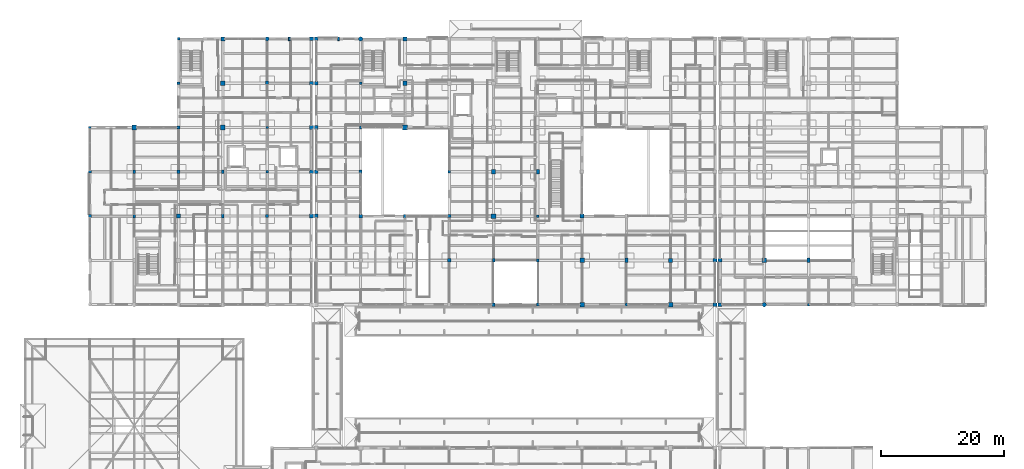
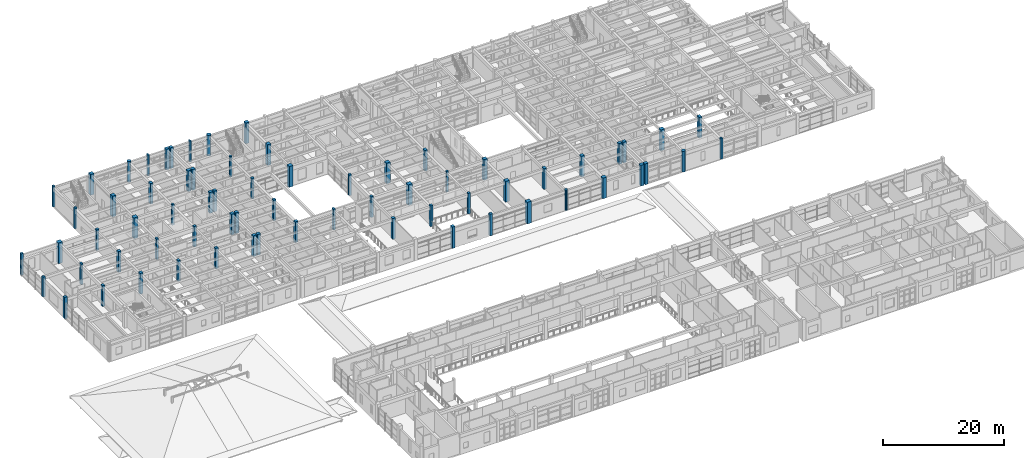
# One storey, part 2 of 110: 68 columns.
"""IFC4 building model written with IfcOpenShell, lengths in metres."""

from ifc_helpers import new_model, si_unit, direction, frame, origin, origin_2d, place, context, subcontext, project, spatial, rectangle, circle, extrude, material, material_profile, profile_set, type_object, element, save


model = new_model("IFC4")

# Units and contexts
model_context = context("Model", 3, precision=1e-05, world=origin(), true_north=direction((0.0, 1.0)))
body_context = subcontext(model_context, "Body", "Model", "MODEL_VIEW")
ifc_project = project(units=[si_unit("LENGTHUNIT", "METRE"), si_unit("AREAUNIT", "SQUARE_METRE"), si_unit("VOLUMEUNIT", "CUBIC_METRE"), si_unit("PLANEANGLEUNIT", "RADIAN"), si_unit("MASSUNIT", "GRAM", prefix="KILO")], contexts=[model_context])

# Site, building, storey
site_placement = place(None, origin())
site = spatial("IfcSite", under=ifc_project, at=site_placement, CompositionType="ELEMENT")
building_placement = place(site_placement, origin())
building = spatial("IfcBuilding", under=site, at=building_placement, Name="Steenspoor Specialist Clinic", CompositionType="ELEMENT")
storey_placement = place(building_placement, frame((0.0, 0.0, 4.800048828125)))
storey = spatial("IfcBuildingStorey", under=building, at=storey_placement, Name="L01", CompositionType="ELEMENT", Elevation=4.800048828125)

# Columns
ifc_material = material(Name="Concrete C40/50", Category="concrete")
ifc_material_profile_1 = material_profile(ifc_material, rectangle(XDim=0.39990234375, YDim=0.39990234375, at=origin_2d()), Name="RC-COL-400X400")
ifc_profile_set_1 = profile_set([ifc_material_profile_1], Name="Concrete C40/50")
column_type_1 = type_object("IfcColumnType", Name="COL-RC-400", PredefinedType="COLUMN", material=ifc_profile_set_1)
for number, where, z_axis, x_axis, name in (
    (1, (59.60009765625, 101.14990234375, 0.0), (0.0, 0.0, 1.0), (1.0, 0.0, 0.0), "Column COL-L01-0229"),
    (2, (88.39990234375, 79.550048828125, 0.0), (0.0, 0.0, 1.0), (1.0, 0.0, 0.0), "Column COL-L01-0351"),
):
    element("IfcColumn", number, at=place(storey_placement, frame(where, z_axis=z_axis, x_axis=x_axis)), inside=storey, type_object=column_type_1, Name=name, PredefinedType="COLUMN", context=body_context, shape_type="SweptSolid", body=[
        extrude(rectangle(XDim=0.39990234375, YDim=0.39990234375, at=origin_2d()), origin(), (0.0, 0.0, 1.0), 4.199951171875),
    ])
column_1_placement = place(storey_placement, frame((15.60009765625, 93.949951171875, 0.0), z_axis=(0.0, 0.0, 1.0), x_axis=(1.0, 0.0, 0.0)))
element("IfcColumn", 3, at=column_1_placement, inside=storey, type_object=column_type_1, Name="Column COL-L01-0515", PredefinedType="COLUMN", context=body_context, shape_type="SweptSolid", body=[
    extrude(rectangle(XDim=0.39990234375, YDim=0.39990234375, at=origin_2d()), origin(), (0.0, 0.0, 1.0), 4.35986328125),
])
for number, where, z_axis, x_axis, name in (
    (4, (30.0, 108.35009765625, 0.0), (0.0, 0.0, 1.0), (1.0, 0.0, 0.0), "Column COL-L01-0559"),
    (5, (44.39990234375, 93.949951171875, 0.0), (0.0, 0.0, 1.0), (1.0, 0.0, 0.0), "Column COL-L01-0605"),
    (6, (132.39990234375, 65.14990234375, 0.0), (0.0, 0.0, 1.0), (1.0, 0.0, 0.0), "Column COL-L01-0712"),
):
    element("IfcColumn", number, at=place(storey_placement, frame(where, z_axis=z_axis, x_axis=x_axis)), inside=storey, type_object=column_type_1, Name=name, PredefinedType="COLUMN", context=body_context, shape_type="SweptSolid", body=[
        extrude(rectangle(XDim=0.39990234375, YDim=0.39990234375, at=origin_2d()), origin(), (0.0, 0.0, 1.0), 4.199951171875),
    ])
ifc_material_profile_2 = material_profile(ifc_material, rectangle(XDim=0.39990234375, YDim=0.550048828125, at=origin_2d()), Name="RC-COL-400X550")
ifc_profile_set_2 = profile_set([ifc_material_profile_2], Name="Concrete C40/50")
column_type_2 = type_object("IfcColumnType", Name="COL-RC-400X550", PredefinedType="COLUMN", material=ifc_profile_set_2)
for number, where, z_axis, x_axis, name in (
    (7, (66.800048828125, 79.550048828125, 0.0), (0.0, 0.0, 1.0), (1.0, 0.0, 0.0), "Column COL-L01-0248"),
    (8, (81.199951171875, 72.35009765625, 0.0), (0.0, 0.0, 1.0), (1.0, 0.0, 0.0), "Column COL-L01-0309"),
    (9, (22.800048828125, 86.75, 0.0), (0.0, 0.0, 1.0), (1.0, 0.0, 0.0), "Column COL-L01-0528"),
    (10, (37.199951171875, 86.75, 0.0), (0.0, 0.0, 1.0), (1.0, 0.0, 0.0), "Column COL-L01-0574"),
):
    element("IfcColumn", number, at=place(storey_placement, frame(where, z_axis=z_axis, x_axis=x_axis)), inside=storey, type_object=column_type_2, Name=name, PredefinedType="COLUMN", context=body_context, shape_type="SweptSolid", body=[
        extrude(rectangle(XDim=0.39990234375, YDim=0.550048828125, at=origin_2d()), origin(), (0.0, 0.0, 1.0), 4.199951171875),
    ])
ifc_material_profile_3 = material_profile(ifc_material, rectangle(XDim=0.449951171875, YDim=0.449951171875, at=origin_2d()), Name="RC-COL-450X450")
ifc_profile_set_3 = profile_set([ifc_material_profile_3], Name="Concrete C40/50")
column_type_3 = type_object("IfcColumnType", Name="COL-RC-450", PredefinedType="COLUMN", material=ifc_profile_set_3)
for number, where, z_axis, x_axis, name in (
    (11, (59.60009765625, 93.949951171875, 0.0), (0.0, 0.0, 1.0), (1.0, 0.0, 0.0), "Column COL-L01-0223"),
    (12, (74.0, 86.75, 0.0), (0.0, 0.0, 1.0), (1.0, 0.0, 0.0), "Column COL-L01-0283"),
    (13, (88.39990234375, 72.35009765625, 0.0), (0.0, 0.0, 1.0), (1.0, 0.0, 0.0), "Column COL-L01-0346"),
):
    element("IfcColumn", number, at=place(storey_placement, frame(where, z_axis=z_axis, x_axis=x_axis)), inside=storey, type_object=column_type_3, Name=name, PredefinedType="COLUMN", context=body_context, shape_type="SweptSolid", body=[
        extrude(rectangle(XDim=0.449951171875, YDim=0.449951171875, at=origin_2d()), origin(), (0.0, 0.0, 1.0), 4.199951171875),
    ])
column_2_placement = place(storey_placement, frame((15.60009765625, 86.75, 0.0), z_axis=(0.0, 0.0, 1.0), x_axis=(1.0, 0.0, 0.0)))
element("IfcColumn", 14, at=column_2_placement, inside=storey, type_object=column_type_3, Name="Column COL-L01-0513", PredefinedType="COLUMN", context=body_context, shape_type="SweptSolid", body=[
    extrude(rectangle(XDim=0.449951171875, YDim=0.449951171875, at=origin_2d()), origin(), (0.0, 0.0, 1.0), 4.050048828125),
])
for number, where, z_axis, x_axis, name in (
    (15, (30.0, 101.14990234375, 0.0), (0.0, 0.0, 1.0), (1.0, 0.0, 0.0), "Column COL-L01-0555"),
    (16, (44.39990234375, 86.75, 0.0), (0.0, 0.0, 1.0), (1.0, 0.0, 0.0), "Column COL-L01-0601"),
):
    element("IfcColumn", number, at=place(storey_placement, frame(where, z_axis=z_axis, x_axis=x_axis)), inside=storey, type_object=column_type_3, Name=name, PredefinedType="COLUMN", context=body_context, shape_type="SweptSolid", body=[
        extrude(rectangle(XDim=0.449951171875, YDim=0.449951171875, at=origin_2d()), origin(), (0.0, 0.0, 1.0), 4.199951171875),
    ])
ifc_material_profile_4 = material_profile(ifc_material, rectangle(XDim=0.449951171875, YDim=0.60009765625, at=origin_2d()), Name="RC-COL-450X600")
ifc_profile_set_4 = profile_set([ifc_material_profile_4], Name="Concrete C40/50")
column_type_4 = type_object("IfcColumnType", Name="COL-RC-450X600", PredefinedType="COLUMN", material=ifc_profile_set_4)
column_3_placement = place(storey_placement, frame((81.199951171875, 65.14990234375, 0.0), z_axis=(0.0, 0.0, 1.0), x_axis=(1.0, 0.0, 0.0)))
element("IfcColumn", 17, at=column_3_placement, inside=storey, type_object=column_type_4, Name="Column COL-L01-0307", PredefinedType="COLUMN", context=body_context, shape_type="SweptSolid", body=[
    extrude(rectangle(XDim=0.449951171875, YDim=0.60009765625, at=origin_2d()), origin(), (0.0, 0.0, 1.0), 4.35986328125),
])
for number, where, z_axis, x_axis, name in (
    (18, (22.800048828125, 79.550048828125, 0.0), (0.0, 0.0, 1.0), (1.0, 0.0, 0.0), "Column COL-L01-0524"),
    (19, (37.199951171875, 79.550048828125, 0.0), (0.0, 0.0, 1.0), (1.0, 0.0, 0.0), "Column COL-L01-0570"),
):
    element("IfcColumn", number, at=place(storey_placement, frame(where, z_axis=z_axis, x_axis=x_axis)), inside=storey, type_object=column_type_4, Name=name, PredefinedType="COLUMN", context=body_context, shape_type="SweptSolid", body=[
        extrude(rectangle(XDim=0.449951171875, YDim=0.60009765625, at=origin_2d()), origin(), (0.0, 0.0, 1.0), 4.199951171875),
    ])
ifc_material_profile_5 = material_profile(ifc_material, rectangle(XDim=0.5, YDim=0.5, at=origin_2d()), Name="RC-COL-500X500")
ifc_profile_set_5 = profile_set([ifc_material_profile_5], Name="Concrete C40/50")
column_type_5 = type_object("IfcColumnType", Name="COL-RC-500", PredefinedType="COLUMN", material=ifc_profile_set_5)
for number, where, z_axis, x_axis, name in (
    (20, (59.60009765625, 86.75, 0.0), (0.0, 0.0, 1.0), (1.0, 0.0, 0.0), "Column COL-L01-0219"),
    (21, (74.0, 79.550048828125, 0.0), (0.0, 0.0, 1.0), (1.0, 0.0, 0.0), "Column COL-L01-0277"),
):
    element("IfcColumn", number, at=place(storey_placement, frame(where, z_axis=z_axis, x_axis=x_axis)), inside=storey, type_object=column_type_5, Name=name, PredefinedType="COLUMN", context=body_context, shape_type="SweptSolid", body=[
        extrude(rectangle(XDim=0.5, YDim=0.5, at=origin_2d()), origin(), (0.0, 0.0, 1.0), 4.199951171875),
    ])
for number, where, z_axis, x_axis, name in (
    (22, (88.39990234375, 65.14990234375, 0.0), (0.0, 0.0, 1.0), (1.0, 0.0, 0.0), "Column COL-L01-0344"),
    (23, (15.60009765625, 79.550048828125, 0.0), (0.0, 0.0, 1.0), (1.0, 0.0, 0.0), "Column COL-L01-0511"),
):
    element("IfcColumn", number, at=place(storey_placement, frame(where, z_axis=z_axis, x_axis=x_axis)), inside=storey, type_object=column_type_5, Name=name, PredefinedType="COLUMN", context=body_context, shape_type="SweptSolid", body=[
        extrude(rectangle(XDim=0.5, YDim=0.5, at=origin_2d()), origin(), (0.0, 0.0, 1.0), 4.35986328125),
    ])
for number, where, z_axis, x_axis, name in (
    (24, (30.0, 93.949951171875, 0.0), (0.0, 0.0, 1.0), (1.0, 0.0, 0.0), "Column COL-L01-0551"),
    (25, (44.39990234375, 79.550048828125, 0.0), (0.0, 0.0, 1.0), (1.0, 0.0, 0.0), "Column COL-L01-0597"),
):
    element("IfcColumn", number, at=place(storey_placement, frame(where, z_axis=z_axis, x_axis=x_axis)), inside=storey, type_object=column_type_5, Name=name, PredefinedType="COLUMN", context=body_context, shape_type="SweptSolid", body=[
        extrude(rectangle(XDim=0.5, YDim=0.5, at=origin_2d()), origin(), (0.0, 0.0, 1.0), 4.199951171875),
    ])
ifc_material_profile_6 = material_profile(ifc_material, rectangle(XDim=0.5, YDim=0.699951171875, at=origin_2d()), Name="RC-COL-500X700")
ifc_profile_set_6 = profile_set([ifc_material_profile_6], Name="Concrete C40/50")
column_type_6 = type_object("IfcColumnType", Name="COL-RC-500X700", PredefinedType="COLUMN", material=ifc_profile_set_6)
for number, where, z_axis, x_axis, name in (
    (26, (88.39990234375, 86.75, 0.0), (0.0, 0.0, 1.0), (1.0, 0.0, 0.0), "Column COL-L01-0357"),
    (27, (102.800048828125, 72.35009765625, 0.0), (0.0, 0.0, 1.0), (1.0, 0.0, 0.0), "Column COL-L01-0421"),
    (28, (44.39990234375, 101.14990234375, 0.0), (0.0, 0.0, 1.0), (1.0, 0.0, 0.0), "Column COL-L01-0609"),
    (29, (132.39990234375, 72.35009765625, 0.0), (0.0, 0.0, 1.0), (1.0, 0.0, 0.0), "Column COL-L01-0716"),
):
    element("IfcColumn", number, at=place(storey_placement, frame(where, z_axis=z_axis, x_axis=x_axis)), inside=storey, type_object=column_type_6, Name=name, PredefinedType="COLUMN", context=body_context, shape_type="SweptSolid", body=[
        extrude(rectangle(XDim=0.5, YDim=0.699951171875, at=origin_2d()), origin(), (0.0, 0.0, 1.0), 4.199951171875),
    ])
ifc_material_profile_7 = material_profile(ifc_material, rectangle(XDim=0.550048828125, YDim=0.550048828125, at=origin_2d()), Name="RC-COL-550X550")
ifc_profile_set_7 = profile_set([ifc_material_profile_7], Name="Concrete C40/50")
column_type_7 = type_object("IfcColumnType", Name="COL-RC-550", PredefinedType="COLUMN", material=ifc_profile_set_7)
for number, where, z_axis, x_axis, name in (
    (30, (59.60009765625, 79.550048828125, 0.0), (0.0, 0.0, 1.0), (1.0, 0.0, 0.0), "Column COL-L01-0215"),
    (31, (74.0, 72.35009765625, 0.0), (0.0, 0.0, 1.0), (1.0, 0.0, 0.0), "Column COL-L01-0272"),
    (32, (30.0, 86.75, 0.0), (0.0, 0.0, 1.0), (1.0, 0.0, 0.0), "Column COL-L01-0547"),
):
    element("IfcColumn", number, at=place(storey_placement, frame(where, z_axis=z_axis, x_axis=x_axis)), inside=storey, type_object=column_type_7, Name=name, PredefinedType="COLUMN", context=body_context, shape_type="SweptSolid", body=[
        extrude(rectangle(XDim=0.550048828125, YDim=0.550048828125, at=origin_2d()), origin(), (0.0, 0.0, 1.0), 4.199951171875),
    ])
ifc_material_profile_8 = material_profile(ifc_material, rectangle(XDim=0.60009765625, YDim=0.60009765625, at=origin_2d()), Name="RC-COL-600X600")
ifc_profile_set_8 = profile_set([ifc_material_profile_8], Name="Concrete C40/50")
column_type_8 = type_object("IfcColumnType", Name="COL-RC-600", PredefinedType="COLUMN", material=ifc_profile_set_8)
for number, where, z_axis, x_axis, name in (
    (33, (52.39990234375, 79.550048828125, 0.0), (0.0, 0.0, 1.0), (1.0, 0.0, 0.0), "Column COL-L01-0188"),
    (34, (52.39990234375, 86.75, 0.0), (0.0, 0.0, 1.0), (1.0, 0.0, 0.0), "Column COL-L01-0192"),
    (35, (52.39990234375, 93.949951171875, 0.0), (0.0, 0.0, 1.0), (1.0, 0.0, 0.0), "Column COL-L01-0196"),
    (36, (52.39990234375, 101.14990234375, 0.0), (0.0, 0.0, 1.0), (1.0, 0.0, 0.0), "Column COL-L01-0200"),
    (37, (52.39990234375, 108.35009765625, 0.0), (0.0, 0.0, 1.0), (1.0, 0.0, 0.0), "Column COL-L01-0204"),
    (38, (117.199951171875, 65.14990234375, 0.0), (0.0, 0.0, 1.0), (1.0, 0.0, 0.0), "Column COL-L01-0480"),
    (39, (117.199951171875, 72.35009765625, 0.0), (0.0, 0.0, 1.0), (1.0, 0.0, 0.0), "Column COL-L01-0483"),
    (40, (30.0, 79.550048828125, 0.0), (0.0, 0.0, 1.0), (1.0, 0.0, 0.0), "Column COL-L01-0543"),
    (41, (51.60009765625, 79.550048828125, 0.0), (0.0, 0.0, 1.0), (1.0, 0.0, 0.0), "Column COL-L01-0624"),
    (42, (51.60009765625, 86.75, 0.0), (0.0, 0.0, 1.0), (1.0, 0.0, 0.0), "Column COL-L01-0628"),
    (43, (51.60009765625, 93.949951171875, 0.0), (0.0, 0.0, 1.0), (1.0, 0.0, 0.0), "Column COL-L01-0632"),
    (44, (51.60009765625, 101.14990234375, 0.0), (0.0, 0.0, 1.0), (1.0, 0.0, 0.0), "Column COL-L01-0636"),
    (45, (51.60009765625, 108.35009765625, 0.0), (0.0, 0.0, 1.0), (1.0, 0.0, 0.0), "Column COL-L01-0640"),
    (46, (118.0, 65.14990234375, 0.0), (0.0, 0.0, 1.0), (1.0, 0.0, 0.0), "Column COL-L01-0644"),
    (47, (118.0, 72.35009765625, 0.0), (0.0, 0.0, 1.0), (1.0, 0.0, 0.0), "Column COL-L01-0648"),
):
    element("IfcColumn", number, at=place(storey_placement, frame(where, z_axis=z_axis, x_axis=x_axis)), inside=storey, type_object=column_type_8, Name=name, PredefinedType="COLUMN", context=body_context, shape_type="SweptSolid", body=[
        extrude(rectangle(XDim=0.60009765625, YDim=0.60009765625, at=origin_2d()), origin(), (0.0, 0.0, 1.0), 4.199951171875),
    ])
ifc_material_profile_9 = material_profile(ifc_material, rectangle(XDim=0.64990234375, YDim=0.64990234375, at=origin_2d()), Name="RC-COL-650X650")
ifc_profile_set_9 = profile_set([ifc_material_profile_9], Name="Concrete C40/50")
column_type_9 = type_object("IfcColumnType", Name="COL-RC-650", PredefinedType="COLUMN", material=ifc_profile_set_9)
for number, where, z_axis, x_axis, name in (
    (48, (66.800048828125, 108.35009765625, 0.0), (0.0, 0.0, 1.0), (1.0, 0.0, 0.0), "Column COL-L01-0264"),
    (49, (95.60009765625, 79.550048828125, 0.0), (0.0, 0.0, 1.0), (1.0, 0.0, 0.0), "Column COL-L01-0388"),
    (50, (110.0, 72.35009765625, 0.0), (0.0, 0.0, 1.0), (1.0, 0.0, 0.0), "Column COL-L01-0450"),
    (51, (37.199951171875, 108.35009765625, 0.0), (0.0, 0.0, 1.0), (1.0, 0.0, 0.0), "Column COL-L01-0586"),
):
    element("IfcColumn", number, at=place(storey_placement, frame(where, z_axis=z_axis, x_axis=x_axis)), inside=storey, type_object=column_type_9, Name=name, PredefinedType="COLUMN", context=body_context, shape_type="SweptSolid", body=[
        extrude(rectangle(XDim=0.64990234375, YDim=0.64990234375, at=origin_2d()), origin(), (0.0, 0.0, 1.0), 4.199951171875),
    ])
ifc_material_profile_10 = material_profile(ifc_material, rectangle(XDim=0.699951171875, YDim=0.699951171875, at=origin_2d()), Name="RC-COL-700X700")
ifc_profile_set_10 = profile_set([ifc_material_profile_10], Name="Concrete C40/50")
column_type_10 = type_object("IfcColumnType", Name="COL-RC-700", PredefinedType="COLUMN", material=ifc_profile_set_10)
for number, where, z_axis, x_axis, name in (
    (52, (66.800048828125, 101.14990234375, 0.0), (0.0, 0.0, 1.0), (1.0, 0.0, 0.0), "Column COL-L01-0258"),
    (53, (81.199951171875, 86.75, 0.0), (0.0, 0.0, 1.0), (1.0, 0.0, 0.0), "Column COL-L01-0320"),
    (54, (95.60009765625, 72.35009765625, 0.0), (0.0, 0.0, 1.0), (1.0, 0.0, 0.0), "Column COL-L01-0383"),
    (55, (110.0, 65.14990234375, 0.0), (0.0, 0.0, 1.0), (1.0, 0.0, 0.0), "Column COL-L01-0447"),
    (56, (37.199951171875, 101.14990234375, 0.0), (0.0, 0.0, 1.0), (1.0, 0.0, 0.0), "Column COL-L01-0582"),
    (57, (125.199951171875, 72.35009765625, 0.0), (0.0, 0.0, 1.0), (1.0, 0.0, 0.0), "Column COL-L01-0682"),
):
    element("IfcColumn", number, at=place(storey_placement, frame(where, z_axis=z_axis, x_axis=x_axis)), inside=storey, type_object=column_type_10, Name=name, PredefinedType="COLUMN", context=body_context, shape_type="SweptSolid", body=[
        extrude(rectangle(XDim=0.699951171875, YDim=0.699951171875, at=origin_2d()), origin(), (0.0, 0.0, 1.0), 4.199951171875),
    ])
ifc_material_profile_11 = material_profile(ifc_material, rectangle(XDim=0.75, YDim=0.75, at=origin_2d()), Name="RC-COL-750X750")
ifc_profile_set_11 = profile_set([ifc_material_profile_11], Name="Concrete C40/50")
column_type_11 = type_object("IfcColumnType", Name="COL-RC-750", PredefinedType="COLUMN", material=ifc_profile_set_11)
for number, where, z_axis, x_axis, name in (
    (58, (66.800048828125, 93.949951171875, 0.0), (0.0, 0.0, 1.0), (1.0, 0.0, 0.0), "Column COL-L01-0252"),
    (59, (81.199951171875, 79.550048828125, 0.0), (0.0, 0.0, 1.0), (1.0, 0.0, 0.0), "Column COL-L01-0314"),
):
    element("IfcColumn", number, at=place(storey_placement, frame(where, z_axis=z_axis, x_axis=x_axis)), inside=storey, type_object=column_type_11, Name=name, PredefinedType="COLUMN", context=body_context, shape_type="SweptSolid", body=[
        extrude(rectangle(XDim=0.75, YDim=0.75, at=origin_2d()), origin(), (0.0, 0.0, 1.0), 4.199951171875),
    ])
column_4_placement = place(storey_placement, frame((95.60009765625, 65.14990234375, 0.0), z_axis=(0.0, 0.0, 1.0), x_axis=(1.0, 0.0, 0.0)))
element("IfcColumn", 60, at=column_4_placement, inside=storey, type_object=column_type_11, Name="Column COL-L01-0381", PredefinedType="COLUMN", context=body_context, shape_type="SweptSolid", body=[
    extrude(rectangle(XDim=0.75, YDim=0.75, at=origin_2d()), origin(), (0.0, 0.0, 1.0), 4.35986328125),
])
for number, where, z_axis, x_axis, name in (
    (61, (22.800048828125, 93.949951171875, 0.0), (0.0, 0.0, 1.0), (1.0, 0.0, 0.0), "Column COL-L01-0532"),
    (62, (37.199951171875, 93.949951171875, 0.0), (0.0, 0.0, 1.0), (1.0, 0.0, 0.0), "Column COL-L01-0578"),
):
    element("IfcColumn", number, at=place(storey_placement, frame(where, z_axis=z_axis, x_axis=x_axis)), inside=storey, type_object=column_type_11, Name=name, PredefinedType="COLUMN", context=body_context, shape_type="SweptSolid", body=[
        extrude(rectangle(XDim=0.75, YDim=0.75, at=origin_2d()), origin(), (0.0, 0.0, 1.0), 4.199951171875),
    ])
ifc_material_profile_12 = material_profile(ifc_material, circle(Radius=0.25, at=origin_2d()), Name="RC-COL-D500")
ifc_profile_set_12 = profile_set([ifc_material_profile_12], Name="Concrete C40/50")
column_type_12 = type_object("IfcColumnType", Name="COL-RC-D500", PredefinedType="COLUMN", material=ifc_profile_set_12)
column_5_placement = place(storey_placement, frame((102.800048828125, 65.14990234375, 0.0), z_axis=(0.0, 0.0, 1.0), x_axis=(1.0, 0.0, 0.0)))
element("IfcColumn", 63, at=column_5_placement, inside=storey, type_object=column_type_12, Name="Column COL-L01-0418", PredefinedType="COLUMN", context=body_context, shape_type="SweptSolid", body=[
    extrude(circle(Radius=0.25, at=origin_2d()), origin(), (0.0, 0.0, 1.0), 4.199951171875),
])
ifc_material_profile_13 = material_profile(ifc_material, circle(Radius=0.324951171875, at=origin_2d()), Name="RC-COL-D650")
ifc_profile_set_13 = profile_set([ifc_material_profile_13], Name="Concrete C40/50")
column_type_13 = type_object("IfcColumnType", Name="COL-RC-D650", PredefinedType="COLUMN", material=ifc_profile_set_13)
column_6_placement = place(storey_placement, frame((44.39990234375, 108.35009765625, 0.0), z_axis=(0.0, 0.0, 1.0), x_axis=(1.0, 0.0, 0.0)))
element("IfcColumn", 64, at=column_6_placement, inside=storey, type_object=column_type_13, Name="Column COL-L01-0613", PredefinedType="COLUMN", context=body_context, shape_type="SweptSolid", body=[
    extrude(circle(Radius=0.324951171875, at=origin_2d()), origin(), (0.0, 0.0, 1.0), 4.199951171875),
])
ifc_material_profile_14 = material_profile(ifc_material, circle(Radius=0.35009765625, at=origin_2d()), Name="RC-COL-D700")
ifc_profile_set_14 = profile_set([ifc_material_profile_14], Name="Concrete C40/50")
column_type_14 = type_object("IfcColumnType", Name="COL-RC-D700", PredefinedType="COLUMN", material=ifc_profile_set_14)
for number, where, z_axis, x_axis, name in (
    (65, (59.60009765625, 108.35009765625, 0.0), (0.0, 0.0, 1.0), (1.0, 0.0, 0.0), "Column COL-L01-0235"),
    (66, (125.199951171875, 65.14990234375, 0.0), (0.0, 0.0, 1.0), (1.0, 0.0, 0.0), "Column COL-L01-0678"),
):
    element("IfcColumn", number, at=place(storey_placement, frame(where, z_axis=z_axis, x_axis=x_axis)), inside=storey, type_object=column_type_14, Name=name, PredefinedType="COLUMN", context=body_context, shape_type="SweptSolid", body=[
        extrude(circle(Radius=0.35009765625, at=origin_2d()), origin(), (0.0, 0.0, 1.0), 4.199951171875),
    ])
ifc_material_profile_15 = material_profile(ifc_material, rectangle(XDim=0.280029296875, YDim=0.56005859375, at=origin_2d()), Name="RC-PIL-280X560")
ifc_profile_set_15 = profile_set([ifc_material_profile_15], Name="Concrete C40/50")
column_type_15 = type_object("IfcColumnType", Name="PIL-RC-280X560", PredefinedType="PILASTER", material=ifc_profile_set_15)
for number, where, z_axis, x_axis, name in (
    (67, (56.0, 108.35009765625, 0.0), (0.0, 0.0, 1.0), (1.0, 0.0, 0.0), "Brick Pilaster PIL-L01-014"),
    (68, (48.0, 108.35009765625, 0.0), (0.0, 0.0, 1.0), (1.0, 0.0, 0.0), "Brick Pilaster PIL-L01-034"),
):
    element("IfcColumn", number, at=place(storey_placement, frame(where, z_axis=z_axis, x_axis=x_axis)), inside=storey, type_object=column_type_15, Name=name, PredefinedType="PILASTER", context=body_context, shape_type="SweptSolid", body=[
        extrude(rectangle(XDim=0.280029296875, YDim=0.56005859375, at=origin_2d()), origin(), (0.0, 0.0, 1.0), 4.199951171875),
    ])

save(model, "model.ifc")
